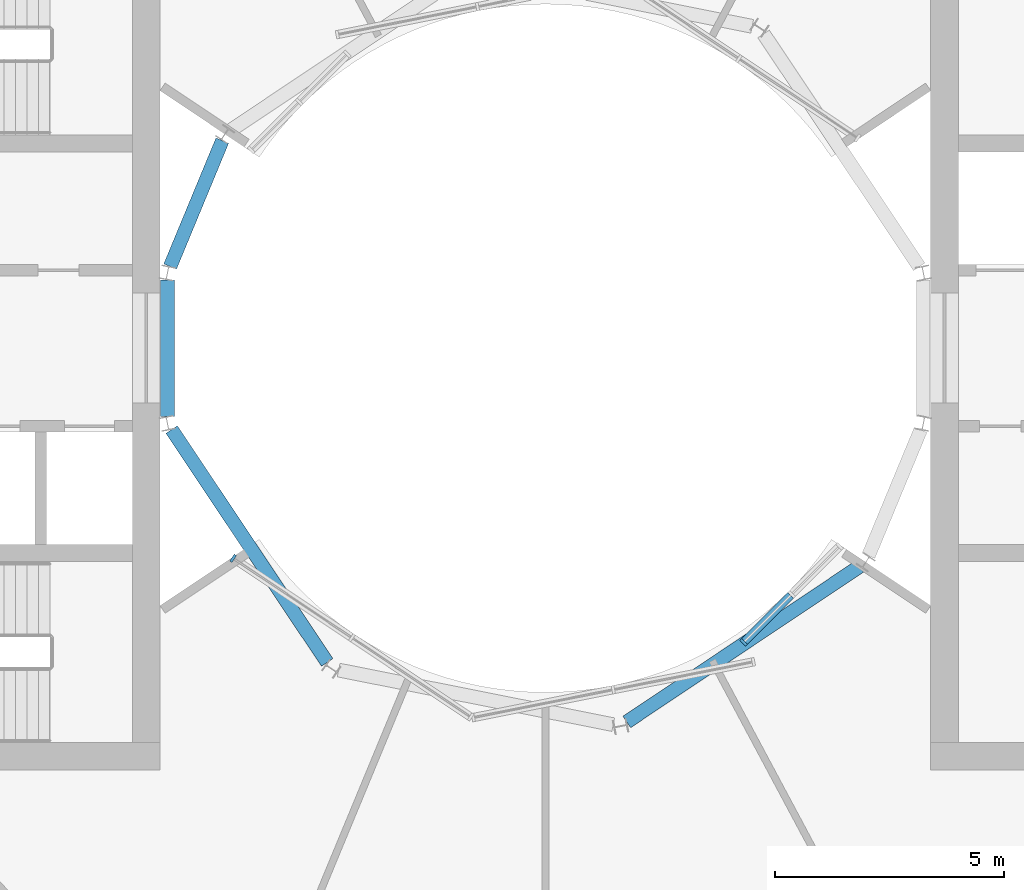
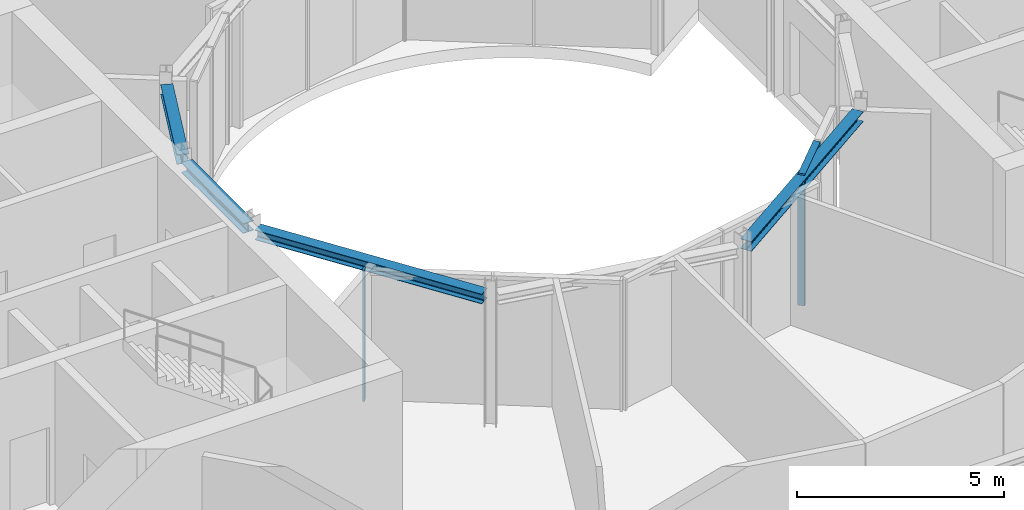
# One storey, part 6 of 21: 4 beams, 3 members, 2 elements without a shape of their own.
"""IFC4 building model written with IfcOpenShell, lengths in metres."""

from ifc_helpers import new_model, si_unit, direction, frame, origin, origin_2d, place, context, subcontext, project, spatial, rectangle, i_section, extrude, material, layer, layer_set, material_profile, profile_set, type_object, element, aggregate, save


model = new_model("IFC4")

# Units and contexts
model_context = context("Model", 3, precision=1e-05, world=origin(), true_north=direction((0.0, 1.0)))
body_context = subcontext(model_context, "Body", "Model", "MODEL_VIEW")
ifc_project = project(units=[si_unit("LENGTHUNIT", "METRE"), si_unit("AREAUNIT", "SQUARE_METRE"), si_unit("VOLUMEUNIT", "CUBIC_METRE"), si_unit("PLANEANGLEUNIT", "RADIAN"), si_unit("MASSUNIT", "GRAM", prefix="KILO")], contexts=[model_context])

# Site, building, storey
site_placement = place(None, origin())
site = spatial("IfcSite", under=ifc_project, at=site_placement, CompositionType="ELEMENT")
building_placement = place(site_placement, origin())
building = spatial("IfcBuilding", under=site, at=building_placement, Name="Maasbend Ring Residences", CompositionType="ELEMENT")
storey_placement = place(building_placement, frame((0.0, 0.0, 107.449951171875)))
storey = spatial("IfcBuildingStorey", under=building, at=storey_placement, Name="L30", CompositionType="ELEMENT", Elevation=107.449951171875)

# Curtain wall, member
ifc_material_1 = material(Name="Aluminium and clear glass", Category="aluminium")
ifc_layer = layer(ifc_material_1, 0.179931640625)
ifc_layer_set = layer_set([ifc_layer], Name="CW-W")
curtain_wall_type = type_object("IfcCurtainWallType", Name="CW-W", PredefinedType="NOTDEFINED", material=ifc_layer_set)
curtain_wall_1_placement = place(storey_placement, origin())
curtain_wall_1 = element("IfcCurtainWall", 1, at=curtain_wall_1_placement, inside=storey, type_object=curtain_wall_type, Name="Well curtain wall S1", PredefinedType="NOTDEFINED")
ifc_material_2 = material(Name="Aluminium 6063-T6", Category="aluminium")
ifc_material_profile_1 = material_profile(ifc_material_2, rectangle(XDim=0.179931640625, YDim=0.06005859375, at=origin_2d()), Name="AL 180x60")
ifc_profile_set_1 = profile_set([ifc_material_profile_1], Name="Aluminium 6063-T6")
member_type_1 = type_object("IfcMemberType", Name="CWM-W", PredefinedType="MULLION", material=ifc_profile_set_1)
member_1_placement = place(storey_placement, frame((-6.805908203125, -4.580810546875, 0.0), z_axis=(0.0, 0.0, 1.0), x_axis=(0.55557023302, 0.831469612303, 0.0)))
member_1 = element("IfcMember", 2, at=member_1_placement, type_object=member_type_1, Name="Mullion well face", PredefinedType="MULLION", context=body_context, shape_type="SweptSolid", body=[
    extrude(rectangle(XDim=0.179931640625, YDim=0.06005859375, at=origin_2d()), origin(), (0.0, 0.0, 1.0), 3.85009765625),
])
aggregate(curtain_wall_1, [member_1])

# Curtain wall, members
curtain_wall_2_placement = place(storey_placement, origin())
curtain_wall_2 = element("IfcCurtainWall", 3, at=curtain_wall_2_placement, inside=storey, type_object=curtain_wall_type, Name="Well curtain wall S3", PredefinedType="NOTDEFINED")
member_2_placement = place(storey_placement, frame((4.320556640625, -6.413330078125, 0.0), z_axis=(0.0, 0.0, 1.0), x_axis=(-0.707106781187, 0.707106781187, 0.0)))
member_2 = element("IfcMember", 4, at=member_2_placement, type_object=member_type_1, Name="Mullion well face", PredefinedType="MULLION", context=body_context, shape_type="SweptSolid", body=[
    extrude(rectangle(XDim=0.179931640625, YDim=0.06005859375, at=origin_2d()), origin(), (0.0, 0.0, 1.0), 3.85009765625),
])
ifc_material_3 = material(Name="Aluminium 6063-T6", Category="aluminium")
ifc_material_profile_2 = material_profile(ifc_material_3, rectangle(XDim=0.179931640625, YDim=0.1201171875, at=origin_2d()), Name="AL 180x120")
ifc_profile_set_2 = profile_set([ifc_material_profile_2], Name="Aluminium 6063-T6")
member_type_2 = type_object("IfcMemberType", Name="CWT-W", PredefinedType="USERDEFINED", material=ifc_profile_set_2)
member_3_placement = place(storey_placement, frame((4.341796875, -6.39208984375, 3.7900390625), z_axis=(0.707106781187, 0.707106781187, 0.0), x_axis=(-0.707106781187, 0.707106781187, 0.0)))
member_3 = element("IfcMember", 5, at=member_3_placement, type_object=member_type_2, Name="Transom well face", ObjectType="TRANSOM", PredefinedType="USERDEFINED", context=body_context, shape_type="SweptSolid", body=[
    extrude(rectangle(XDim=0.179931640625, YDim=0.1201171875, at=origin_2d()), origin(), (0.0, 0.0, 1.0), 1.419677734375),
])
aggregate(curtain_wall_2, [member_2, member_3])

# Beams
ifc_material_4 = material(Name="Steel S355J2", Category="steel")
ifc_material_profile_3 = material_profile(ifc_material_4, i_section(OverallWidth=0.300048828125, OverallDepth=0.2900390625, WebThickness=0.008544921875, FlangeThickness=0.013916015625, FilletRadius=0.027099609375, at=origin_2d()), Name="HEA 300")
ifc_profile_set_3 = profile_set([ifc_material_profile_3], Name="Steel S355J2")
beam_type = type_object("IfcBeamType", Name="Well edge beam HEA 300", PredefinedType="BEAM", material=ifc_profile_set_3)
for number, where, z_axis, x_axis, name in (
    (6, (-7.042724609375, 4.525390625, 3.705078125), (-0.382765370874, -0.923845588212, 0.0), (0.923845588212, -0.382765370874, 0.0), "Well edge beam"),
    (7, (-8.238525390625, 1.48583984375, 3.705078125), (0.0, -1.0, 0.0), (1.0, 0.0, 0.0), "Well edge beam"),
):
    element("IfcBeam", number, at=place(storey_placement, frame(where, z_axis=z_axis, x_axis=x_axis)), inside=storey, type_object=beam_type, Name=name, PredefinedType="BEAM", context=body_context, shape_type="SweptSolid", body=[
        extrude(i_section(OverallWidth=0.300048828125, OverallDepth=0.2900390625, WebThickness=0.008544921875, FlangeThickness=0.013916015625, FilletRadius=0.027099609375, at=origin_2d()), origin(), (0.0, 0.0, 1.0), 2.9716796875),
    ])
for number, where, z_axis, x_axis, name in (
    (8, (-8.1484375, -1.773681640625, 3.705078125), (0.555558236289, -0.831477628137, 0.0), (0.831477628137, 0.555558236289, 0.0), "Well edge beam"),
    (9, (1.773681640625, -8.1484375, 3.705078125), (0.831477628137, 0.555558236289, 0.0), (-0.555558236289, 0.831477628137, 0.0), "Well edge beam"),
):
    element("IfcBeam", number, at=place(storey_placement, frame(where, z_axis=z_axis, x_axis=x_axis)), inside=storey, type_object=beam_type, Name=name, PredefinedType="BEAM", context=body_context, shape_type="SweptSolid", body=[
        extrude(i_section(OverallWidth=0.300048828125, OverallDepth=0.2900390625, WebThickness=0.008544921875, FlangeThickness=0.013916015625, FilletRadius=0.027099609375, at=origin_2d()), origin(), (0.0, 0.0, 1.0), 6.1044921875),
    ])

save(model, "model.ifc")
